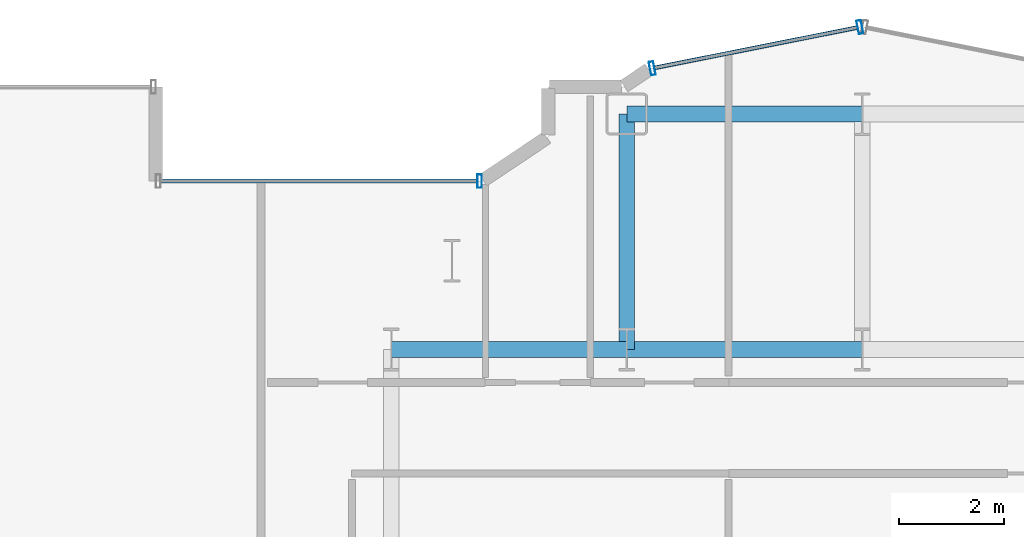
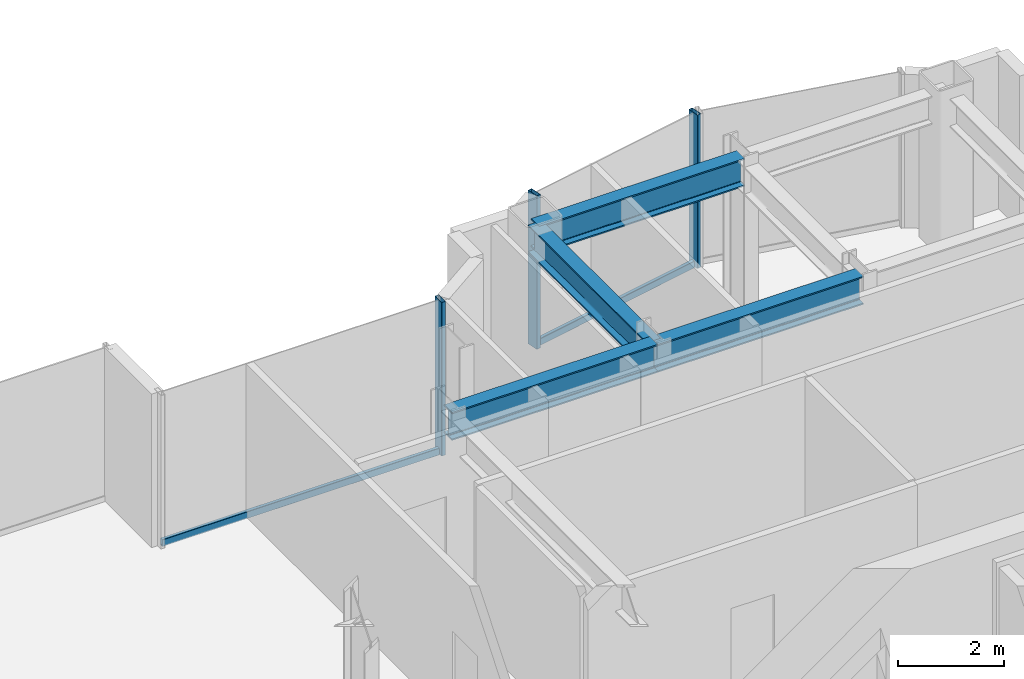
# One storey, part 14 of 26: 5 members, 4 beams, 2 elements without a shape of their own.
"""IFC4 building model written with IfcOpenShell, lengths in metres."""

from ifc_helpers import new_model, si_unit, direction, frame, origin, origin_2d, place, context, subcontext, project, spatial, hollow_rectangle, i_section, extrude, source, transform, mapped, material, layer, layer_set, material_profile, profile_set, type_object, element, aggregate, save


model = new_model("IFC4")

# Units and contexts
model_context = context("Model", 3, precision=1e-05, world=origin(), true_north=direction((0.0, 1.0)))
body_context = subcontext(model_context, "Body", "Model", "MODEL_VIEW")
ifc_project = project(units=[si_unit("LENGTHUNIT", "METRE"), si_unit("AREAUNIT", "SQUARE_METRE"), si_unit("VOLUMEUNIT", "CUBIC_METRE"), si_unit("PLANEANGLEUNIT", "RADIAN"), si_unit("MASSUNIT", "GRAM", prefix="KILO")], contexts=[model_context])

# Site, building, storey
site_placement = place(None, origin())
site = spatial("IfcSite", under=ifc_project, at=site_placement, CompositionType="ELEMENT")
building_placement = place(site_placement, origin())
building = spatial("IfcBuilding", under=site, at=building_placement, Name="Nefas-Gora Pilgrimage Tower", CompositionType="ELEMENT")
storey_placement = place(building_placement, frame((0.0, 0.0, 160.199951171875)))
storey = spatial("IfcBuildingStorey", under=building, at=storey_placement, Name="L39", CompositionType="ELEMENT", Elevation=160.199951171875)

# Beams
ifc_material_1 = material(Name="Steel S355", Category="steel")
ifc_material_profile_1 = material_profile(ifc_material_1, i_section(OverallWidth=0.300048828125, OverallDepth=0.64990234375, WebThickness=0.01611328125, FlangeThickness=0.031005859375, FilletRadius=0.027099609375, at=origin_2d()), Name="HEB 650")
ifc_profile_set_1 = profile_set([ifc_material_profile_1], Name="Steel S355")
beam_type = type_object("IfcBeamType", Name="BM-GIR-HEB650", PredefinedType="BEAM", material=ifc_profile_set_1)
shared_shape_1 = source(origin(), body_context, "Body", "SweptSolid", [
    extrude(i_section(OverallWidth=0.300048828125, OverallDepth=0.64990234375, WebThickness=0.01611328125, FlangeThickness=0.031005859375, FilletRadius=0.027099609375, at=origin_2d()), origin(), (0.0, 0.0, 1.0), 4.5),
])
for number, where, z_axis, x_axis, name in (
    (1, (-11.25, 18.0, 3.22509765625), (1.0, 0.0, 0.0), (0.0, 1.0, 0.0), "L39 G-03 beam"),
    (2, (-6.75, 18.0, 3.22509765625), (0.0, 1.0, 0.0), (-1.0, 0.0, 0.0), "L39 G-03 beam"),
    (3, (-6.75, 18.0, 3.22509765625), (1.0, 0.0, 0.0), (0.0, 1.0, 0.0), "L39 G-03 beam"),
    (4, (-6.75, 22.5, 3.22509765625), (1.0, 0.0, 0.0), (0.0, 1.0, 0.0), "L39 G-03 beam"),
):
    element("IfcBeam", number, at=place(storey_placement, frame(where, z_axis=z_axis, x_axis=x_axis)), inside=storey, type_object=beam_type, Name=name, PredefinedType="BEAM", context=body_context, shape_type="MappedRepresentation", body=[
        mapped(shared_shape_1, transform((0.0, 0.0, 0.0), x_axis=(1.0, 0.0, 0.0), y_axis=(0.0, 1.0, 0.0), z_axis=(0.0, 0.0, 1.0), scale=1.0)),
    ])

# Curtain wall, members
ifc_material_2 = material(Name="Dark ceramic-fritted solar-control aluminium-glass curtain wall", Category="aluminium")
ifc_layer = layer(ifc_material_2, 0.219970703125)
ifc_layer_set = layer_set([ifc_layer], Name="Dark ceramic-fritted solar-control aluminium-glass curtain wall")
curtain_wall_type = type_object("IfcCurtainWallType", Name="CW-SYS-5", PredefinedType="NOTDEFINED", material=ifc_layer_set)
curtain_wall_1_placement = place(storey_placement, origin())
curtain_wall_1 = element("IfcCurtainWall", 5, at=curtain_wall_1_placement, inside=storey, type_object=curtain_wall_type, Name="L39 Unitised Curtain Wall CW5", PredefinedType="NOTDEFINED")
ifc_material_3 = material(Name="Anodised architectural aluminium", Category="aluminium")
ifc_material_profile_2 = material_profile(ifc_material_3, hollow_rectangle(XDim=0.090087890625, YDim=0.260009765625, WallThickness=0.006103515625, InnerFilletRadius=0.006103515625, OuterFilletRadius=0.011962890625, at=origin_2d()), Name="ALU MULLION 90x260")
ifc_profile_set_2 = profile_set([ifc_material_profile_2], Name="Anodised architectural aluminium")
member_type_1 = type_object("IfcMemberType", Name="CWM-MUL-5", PredefinedType="MULLION", material=ifc_profile_set_2)
shared_shape_2 = source(origin(), body_context, "Body", "SweptSolid", [
    extrude(hollow_rectangle(XDim=0.090087890625, YDim=0.260009765625, WallThickness=0.006103515625, InnerFilletRadius=0.006103515625, OuterFilletRadius=0.011962890625, at=origin_2d()), origin(), (0.0, 0.0, 1.0), 3.550048828125),
])
member_1_placement = place(storey_placement, frame((-2.294189453125, 24.16357421875, 0.0), z_axis=(0.0, 0.0, 1.0), x_axis=(-0.980782896852, -0.195102304554, 0.0)))
member_1 = element("IfcMember", 6, at=member_1_placement, type_object=member_type_1, Name="CW5 Mullion 1", PredefinedType="MULLION", context=body_context, shape_type="MappedRepresentation", body=[
    mapped(shared_shape_2, transform((0.0, 0.0, 0.0), x_axis=(1.0, 0.0, 0.0), y_axis=(0.0, 1.0, 0.0), z_axis=(0.0, 0.0, 1.0), scale=1.0)),
])
member_2_placement = place(storey_placement, frame((-6.26318359375, 23.3740234375, 0.0), z_axis=(0.0, 0.0, 1.0), x_axis=(-0.980782896852, -0.195102304554, 0.0)))
member_2 = element("IfcMember", 7, at=member_2_placement, type_object=member_type_1, Name="CW5 Mullion 2", PredefinedType="MULLION", context=body_context, shape_type="MappedRepresentation", body=[
    mapped(shared_shape_2, transform((0.0, 0.0, 0.0), x_axis=(1.0, 0.0, 0.0), y_axis=(0.0, 1.0, 0.0), z_axis=(0.0, 0.0, 1.0), scale=1.0)),
])

curtain_wall_2_placement = place(storey_placement, origin())
curtain_wall_2 = element("IfcCurtainWall", 8, at=curtain_wall_2_placement, inside=storey, type_object=curtain_wall_type, Name="L39 Unitised Curtain Wall CW5", PredefinedType="NOTDEFINED")
member_3_placement = place(storey_placement, frame((-9.56298828125, 21.219970703125, 0.0), z_axis=(0.0, 0.0, 1.0), x_axis=(-1.0, 0.0, 0.0)))
member_3 = element("IfcMember", 9, at=member_3_placement, type_object=member_type_1, Name="CW5 Mullion 1", PredefinedType="MULLION", context=body_context, shape_type="MappedRepresentation", body=[
    mapped(shared_shape_2, transform((0.0, 0.0, 0.0), x_axis=(1.0, 0.0, 0.0), y_axis=(0.0, 1.0, 0.0), z_axis=(0.0, 0.0, 1.0), scale=1.0)),
])
ifc_material_profile_3 = material_profile(ifc_material_3, hollow_rectangle(XDim=0.080078125, YDim=0.159912109375, WallThickness=0.00439453125, InnerFilletRadius=0.00439453125, OuterFilletRadius=0.009033203125, at=origin_2d()), Name="ALU TRANSOM 80x160")
ifc_profile_set_3 = profile_set([ifc_material_profile_3], Name="Anodised architectural aluminium")
member_type_2 = type_object("IfcMemberType", Name="CWM-TRN-5", PredefinedType="USERDEFINED", material=ifc_profile_set_3)
shared_shape_3 = source(origin(), body_context, "Body", "SweptSolid", [
    extrude(hollow_rectangle(XDim=0.080078125, YDim=0.159912109375, WallThickness=0.00439453125, InnerFilletRadius=0.00439453125, OuterFilletRadius=0.009033203125, at=origin_2d()), origin(), (0.0, 0.0, 1.0), 6.052001953125),
])
member_4_placement = place(storey_placement, frame((-9.60791015625, 21.219970703125, 0.050048828125), z_axis=(-1.0, 0.0, 0.0), x_axis=(0.0, -1.0, 0.0)))
member_4 = element("IfcMember", 10, at=member_4_placement, type_object=member_type_2, Name="CW5 Spandrel Transom", ObjectType="TRANSOM", PredefinedType="USERDEFINED", context=body_context, shape_type="MappedRepresentation", body=[
    mapped(shared_shape_3, transform((0.0, 0.0, 0.0), x_axis=(1.0, 0.0, 0.0), y_axis=(0.0, 1.0, 0.0), z_axis=(0.0, 0.0, 1.0), scale=1.0)),
])
aggregate(curtain_wall_2, [member_3, member_4])

# Member
shared_shape_4 = source(origin(), body_context, "Body", "SweptSolid", [
    extrude(hollow_rectangle(XDim=0.080078125, YDim=0.159912109375, WallThickness=0.00439453125, InnerFilletRadius=0.00439453125, OuterFilletRadius=0.009033203125, at=origin_2d()), origin(), (0.0, 0.0, 1.0), 3.95654296875),
])
member_5_placement = place(storey_placement, frame((-2.33837890625, 24.15478515625, 0.050048828125), z_axis=(-0.980781880918, -0.195107411605, 0.0), x_axis=(0.195107411605, -0.980781880918, 0.0)))
member_5 = element("IfcMember", 11, at=member_5_placement, type_object=member_type_2, Name="CW5 Spandrel Transom", ObjectType="TRANSOM", PredefinedType="USERDEFINED", context=body_context, shape_type="MappedRepresentation", body=[
    mapped(shared_shape_4, transform((0.0, 0.0, 0.0), x_axis=(1.0, 0.0, 0.0), y_axis=(0.0, 1.0, 0.0), z_axis=(0.0, 0.0, 1.0), scale=1.0)),
])

aggregate(curtain_wall_1, [member_1, member_2, member_5])

save(model, "model.ifc")
